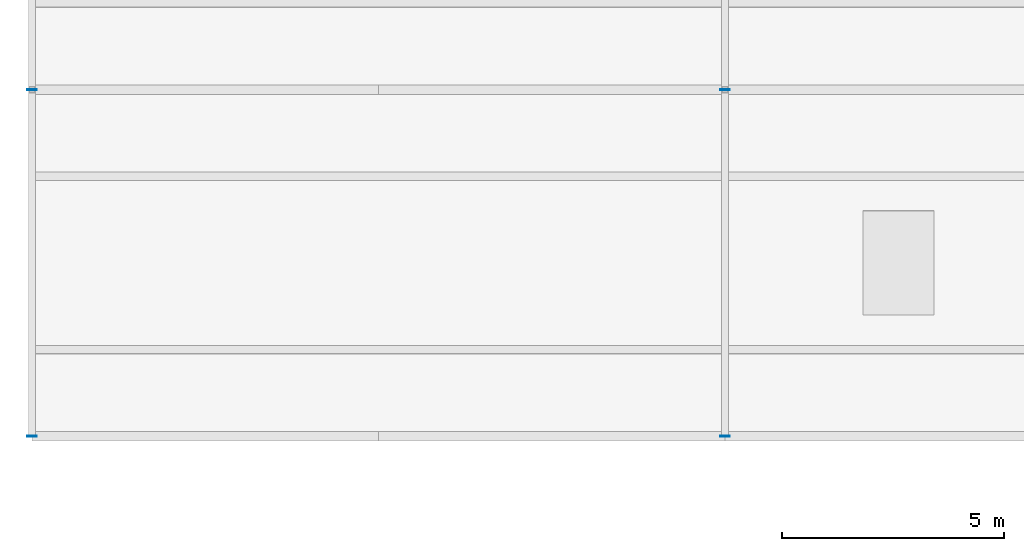
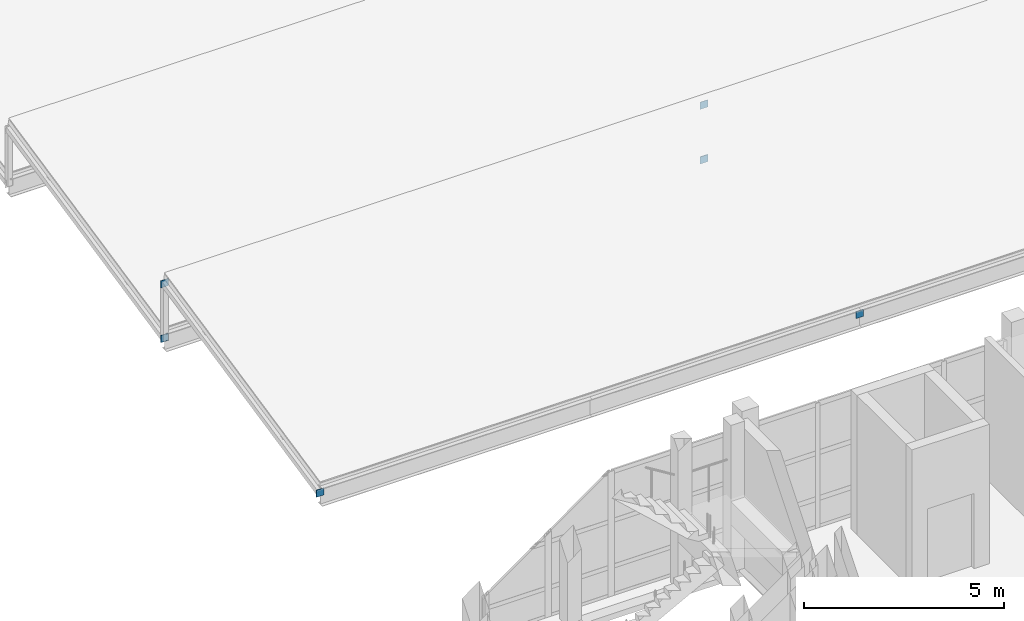
# One storey, part 55 of 89: 6 plates.
"""IFC4 building model written with IfcOpenShell, lengths in metres."""

from ifc_helpers import new_model, si_unit, direction, frame, origin, origin_2d, place, context, subcontext, project, spatial, rectangle, extrude, material, layer, layer_set, type_object, element, save


model = new_model("IFC4")

# Units and contexts
model_context = context("Model", 3, precision=1e-05, world=origin(), true_north=direction((0.0, 1.0)))
body_context = subcontext(model_context, "Body", "Model", "MODEL_VIEW")
ifc_project = project(units=[si_unit("LENGTHUNIT", "METRE"), si_unit("AREAUNIT", "SQUARE_METRE"), si_unit("VOLUMEUNIT", "CUBIC_METRE"), si_unit("PLANEANGLEUNIT", "RADIAN"), si_unit("MASSUNIT", "GRAM", prefix="KILO")], contexts=[model_context])

# Site, building, storey
site_placement = place(None, origin())
site = spatial("IfcSite", under=ifc_project, at=site_placement, CompositionType="ELEMENT")
building_placement = place(site_placement, origin())
building = spatial("IfcBuilding", under=site, at=building_placement, Name="Celorna Specialist Clinic", CompositionType="ELEMENT")
storey_placement = place(building_placement, frame((0.0, 0.0, 14.10009765625)))
storey = spatial("IfcBuildingStorey", under=building, at=storey_placement, Name="L03", CompositionType="ELEMENT", Elevation=14.10009765625)

# Plates
ifc_material = material(Name="Steel S355", Category="steel")
ifc_layer = layer(ifc_material, 0.01611328125, Name="Steel S355")
ifc_layer_set = layer_set([ifc_layer], Name="Steel S355")
plate_type = type_object("IfcPlateType", Name="EP-04", PredefinedType="SHEET", material=ifc_layer_set)
for number, where, z_axis, x_axis, name in (
    (1, (0.0, 35.10009765625, -0.31201171875), (0.0, 0.0, 1.0), (1.0, 0.0, 0.0), "Rafter chord cap plate ROOF-V2-SAW-1"),
    (2, (0.0, 42.89990234375, 1.35791015625), (0.0, 0.0, 1.0), (1.0, 0.0, 0.0), "Rafter chord cap plate ROOF-V2-SAW-1"),
    (3, (15.60009765625, 35.10009765625, -0.31201171875), (0.0, 0.0, 1.0), (1.0, 0.0, 0.0), "Rafter chord cap plate ROOF-V2-SAW-1"),
    (4, (15.60009765625, 42.89990234375, 1.35791015625), (0.0, 0.0, 1.0), (1.0, 0.0, 0.0), "Rafter chord cap plate ROOF-V2-SAW-1"),
    (5, (0.0, 42.89990234375, -0.31201171875), (0.0, 0.0, 1.0), (1.0, 0.0, 0.0), "Rafter chord cap plate ROOF-V2-SAW-2"),
    (6, (15.60009765625, 42.89990234375, -0.31201171875), (0.0, 0.0, 1.0), (1.0, 0.0, 0.0), "Rafter chord cap plate ROOF-V2-SAW-2"),
):
    element("IfcPlate", number, at=place(storey_placement, frame(where, z_axis=z_axis, x_axis=x_axis)), inside=storey, type_object=plate_type, Name=name, PredefinedType="SHEET", context=body_context, shape_type="SweptSolid", body=[
        extrude(rectangle(XDim=0.219970703125, YDim=0.013916015625, at=origin_2d()), origin(), (0.0, 0.0, 1.0), 0.219970703125),
    ])

save(model, "model.ifc")
